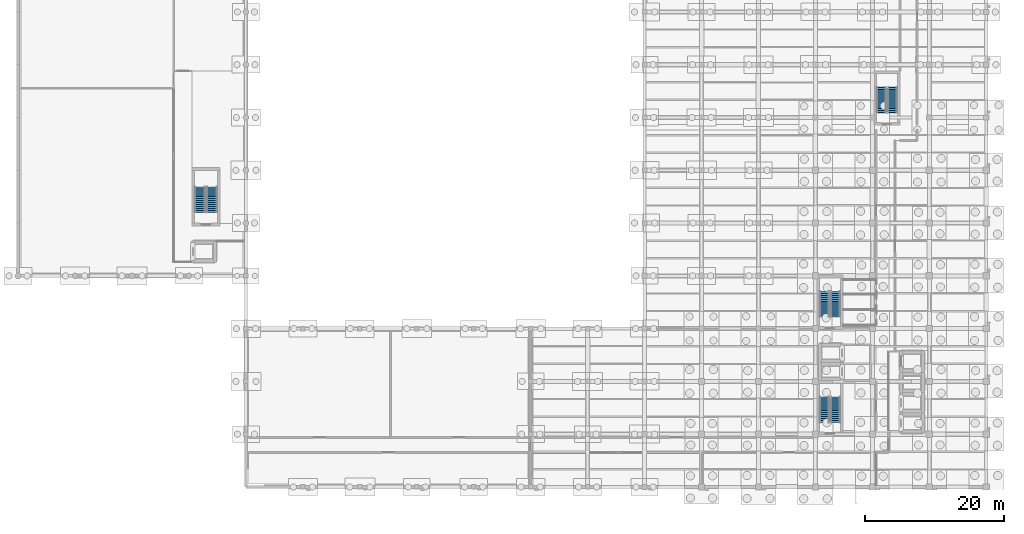
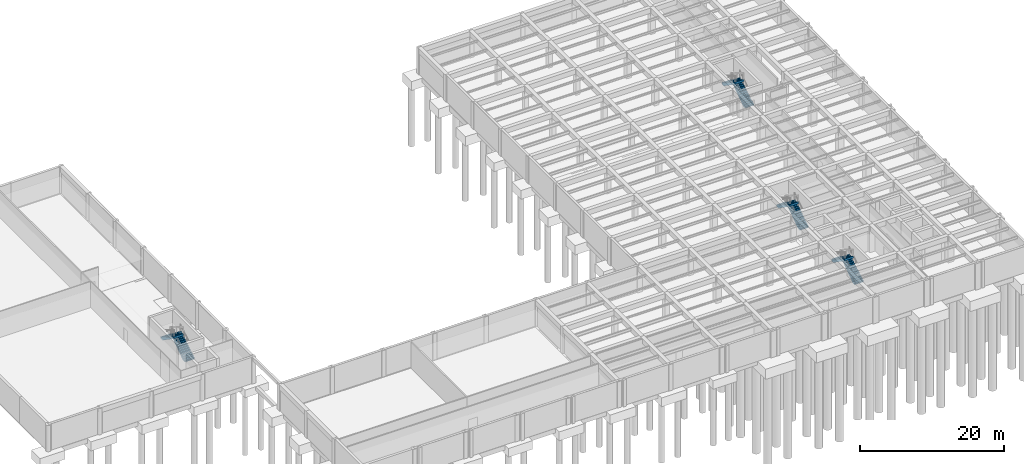
# One storey, part 22 of 29: 8 stair flights, 4 elements without a shape of their own.
"""IFC4 building model written with IfcOpenShell, lengths in metres."""

import ifcopenshell
import ifcopenshell.guid

model = None  # the IFC model being written
_history = None  # IfcOwnerHistory: only IFC2X3 demands one
_inside = {}  # id of a spatial element -> (the spatial element, [elements in it])
_under = {}  # id of a project, library or spatial element -> (it, [spatial elements below it])
_declared = {}  # id of a project -> (the project, [libraries it declares])
_typed = {}  # id of a type object -> (the type object, [elements of that type])
_made_of = {}  # id of a material, layer set ... -> (it, [elements and type objects made of it])


def new_model(schema):
    """Start an empty IFC model of exactly this schema.

    Asked for "IFC4X3", IfcOpenShell would pick the latest addendum, in which some entities
    have other attributes; the version numbers below select the first issue.
    IFC2X3 requires an IfcOwnerHistory on every rooted entity: one is made here for all.
    """
    global model, _history
    if schema == "IFC4X3":
        model = ifcopenshell.file(schema_version=(4, 3, 0, 0))
    else:
        model = ifcopenshell.file(schema=schema)
    _inside.clear()
    _under.clear()
    _declared.clear()
    _typed.clear()
    _made_of.clear()
    _history = None
    if model.schema == "IFC2X3":
        org = make("IfcOrganization", Name="unknown")
        user = make(
            "IfcPersonAndOrganization",
            ThePerson=make("IfcPerson", FamilyName="unknown"),
            TheOrganization=org,
        )
        app = make(
            "IfcApplication",
            ApplicationDeveloper=org,
            Version="unknown",
            ApplicationFullName="unknown",
            ApplicationIdentifier="unknown",
        )
        _history = make(
            "IfcOwnerHistory",
            OwningUser=user,
            OwningApplication=app,
            ChangeAction="ADDED",
            CreationDate=0,
        )
    return model


def make(cls, **values):
    """One entity of the class cls with the attributes given. An attribute that is None is left unset."""
    return model.create_entity(
        cls, **{name: value for name, value in values.items() if value is not None}
    )


def rooted(cls, **values):
    """An entity with a GlobalId (a new one), such as an element, a storey or a relation."""
    return make(cls, GlobalId=ifcopenshell.guid.new(), OwnerHistory=_history, **values)


def si_unit(unit_type, name, prefix=None):
    """IfcSIUnit, for example si_unit("LENGTHUNIT", "METRE", prefix="MILLI")."""
    return make("IfcSIUnit", UnitType=unit_type, Prefix=prefix, Name=name)


def assignment(units):
    """IfcUnitAssignment: the units of a project."""
    return None if units is None else make("IfcUnitAssignment", Units=units)


def point(xyz):
    """IfcCartesianPoint."""
    return None if xyz is None else make("IfcCartesianPoint", Coordinates=xyz)


def direction(xyz):
    """IfcDirection."""
    return None if xyz is None else make("IfcDirection", DirectionRatios=xyz)


def frame(location, z_axis=None, x_axis=None):
    """IfcAxis2Placement3D, a coordinate frame: its origin and axes. An axis left out is left unset."""
    return make(
        "IfcAxis2Placement3D",
        Location=point(location),
        Axis=direction(z_axis),
        RefDirection=direction(x_axis),
    )


def origin():
    """The frame at (0, 0, 0) with its axes left unset."""
    return frame((0.0, 0.0, 0.0))


def place(relative_to, where):
    """IfcLocalPlacement: puts the frame where relative to a parent placement (None: the world)."""
    return make(
        "IfcLocalPlacement", PlacementRelTo=relative_to, RelativePlacement=where
    )


def context(
    kind, dimensions, precision=None, world=None, true_north=None, identifier=None
):
    """IfcGeometricRepresentationContext, for example the 3D "Model" context."""
    return make(
        "IfcGeometricRepresentationContext",
        ContextIdentifier=identifier,
        ContextType=kind,
        CoordinateSpaceDimension=dimensions,
        Precision=precision,
        WorldCoordinateSystem=world,
        TrueNorth=true_north,
    )


def subcontext(parent, identifier, kind, view, scale=None):
    """IfcGeometricRepresentationSubContext, for example "Body" below "Model"."""
    return make(
        "IfcGeometricRepresentationSubContext",
        ContextIdentifier=identifier,
        ContextType=kind,
        ParentContext=parent,
        TargetScale=scale,
        TargetView=view,
    )


def project(units=None, contexts=None):
    """IfcProject with its units and contexts."""
    return rooted(
        "IfcProject",
        Name="project",
        RepresentationContexts=contexts,
        UnitsInContext=assignment(units),
    )


def spatial(cls, under=None, at=None, **own):
    """A site, building, storey or space (cls), placed at a placement, below another one or the project."""
    s = rooted(cls, ObjectPlacement=at, **own)
    if under is not None:
        _under.setdefault(under.id(), (under, []))[1].append(s)
    return s


def polyline(points):
    """IfcPolyline through the points."""
    return make("IfcPolyline", Points=[point(p) for p in points])


def outline(outer, holes=None, kind="AREA"):
    """IfcArbitraryClosedProfileDef: a profile drawn as a closed curve; with holes, ...WithVoids."""
    if holes is None:
        return make("IfcArbitraryClosedProfileDef", ProfileType=kind, OuterCurve=outer)
    return make(
        "IfcArbitraryProfileDefWithVoids",
        ProfileType=kind,
        OuterCurve=outer,
        InnerCurves=holes,
    )


def extrude(swept, where, along, depth):
    """IfcExtrudedAreaSolid: the profile swept, set in the frame where, extruded along a direction by depth."""
    return make(
        "IfcExtrudedAreaSolid",
        SweptArea=swept,
        Position=where,
        ExtrudedDirection=direction(along),
        Depth=depth,
    )


def shape(context_of_items, identifier, shape_type, items):
    """IfcShapeRepresentation: the items that make up one representation, for example the "Body"."""
    return make(
        "IfcShapeRepresentation",
        ContextOfItems=context_of_items,
        RepresentationIdentifier=identifier,
        RepresentationType=shape_type,
        Items=items,
    )


def material(Name=None, Category=None):
    """IfcMaterial."""
    return make("IfcMaterial", Name=Name, Category=Category)


def made_of(thing, what):
    """Note that an element or type object is made of a material, layer set ...; save() writes the relation."""
    if what is not None:
        _made_of.setdefault(what.id(), (what, []))[1].append(thing)
    return thing


def type_object(cls, material=None, **own):
    """A type object (cls), such as IfcWallType, which elements share."""
    return made_of(rooted(cls, **own), material)


def element(
    cls,
    number,
    at=None,
    inside=None,
    cuts=None,
    type_object=None,
    material=None,
    context=None,
    identifier="Body",
    shape_type=None,
    held_by="IfcProductDefinitionShape",
    body=None,
    shapes=None,
    **own,
):
    """One element of the class cls, such as IfcWall. Its Tag is "e" and its number.

    at: its placement. inside: the storey or other place that contains it. cuts: it is an
    opening in that element (IfcRelVoidsElement). A single representation is given by context,
    identifier, shape_type and body (its items); several are given by shapes. held_by: the class
    of the entity that holds the representations. save() writes the other relations.
    """
    e = rooted(cls, Tag="e%d" % number, ObjectPlacement=at, **own)
    if body is not None:
        shapes = [shape(context, identifier, shape_type, body)]
    if shapes is not None:
        e.Representation = make(held_by, Representations=shapes)
    if inside is not None:
        _inside.setdefault(inside.id(), (inside, []))[1].append(e)
    if cuts is not None:
        rooted(
            "IfcRelVoidsElement", RelatingBuildingElement=cuts, RelatedOpeningElement=e
        )
    if type_object is not None:
        _typed.setdefault(type_object.id(), (type_object, []))[1].append(e)
    return made_of(e, material)


def aggregate(whole, parts):
    """IfcRelAggregates: a whole, such as a stair, and the parts it consists of."""
    return rooted("IfcRelAggregates", RelatingObject=whole, RelatedObjects=parts)


def save(model, path):
    """Write the relations noted so far, then the file.

    IfcRelAggregates (storeys below a building ...), IfcRelContainedInSpatialStructure (elements
    in a storey), IfcRelDefinesByType, IfcRelAssociatesMaterial and IfcRelDeclares: one each for
    every whole, place, type object, material and project.
    """
    for whole, parts in _under.values():
        aggregate(whole, parts)
    for where, things in _inside.values():
        rooted(
            "IfcRelContainedInSpatialStructure",
            RelatedElements=things,
            RelatingStructure=where,
        )
    for kind, things in _typed.values():
        rooted("IfcRelDefinesByType", RelatedObjects=things, RelatingType=kind)
    for what, things in _made_of.values():
        rooted("IfcRelAssociatesMaterial", RelatedObjects=things, RelatingMaterial=what)
    for by, libraries in _declared.values():
        rooted("IfcRelDeclares", RelatingContext=by, RelatedDefinitions=libraries)
    model.write(path)


model = new_model("IFC4")

# Units and contexts
model_context = context("Model", 3, precision=1e-05, world=origin(), true_north=direction((0.0, 1.0)))
body_context = subcontext(model_context, "Body", "Model", "MODEL_VIEW")
ifc_project = project(units=[si_unit("LENGTHUNIT", "METRE"), si_unit("AREAUNIT", "SQUARE_METRE"), si_unit("VOLUMEUNIT", "CUBIC_METRE"), si_unit("PLANEANGLEUNIT", "RADIAN"), si_unit("MASSUNIT", "GRAM", prefix="KILO")], contexts=[model_context])

# Site, building, storey
site_placement = place(None, origin())
site = spatial("IfcSite", under=ifc_project, at=site_placement, CompositionType="ELEMENT")
building_placement = place(site_placement, origin())
building = spatial("IfcBuilding", under=site, at=building_placement, Name="Qandaris Square Conservatory and Botanical Centre", CompositionType="ELEMENT")
storey_placement = place(building_placement, frame((0.0, 0.0, -4.800048828125)))
storey = spatial("IfcBuildingStorey", under=building, at=storey_placement, Name="B1", CompositionType="ELEMENT", Elevation=-4.800048828125)

# Stair, stair flights
ifc_material_1 = material(Name="Concrete C40/50", Category="concrete")
stair_type_1 = type_object("IfcStairType", Name="Core Escape Scissor Stair", PredefinedType="HALF_TURN_STAIR", material=ifc_material_1)
stair_1_placement = place(storey_placement, origin())
stair_1 = element("IfcStair", 1, at=stair_1_placement, inside=storey, type_object=stair_type_1, Name="B1 Tower South Exit Stair ST-1", PredefinedType="HALF_TURN_STAIR")
ifc_material_2 = material(Name="Precast concrete C40/50", Category="concrete")
stair_flight_type_1 = type_object("IfcStairFlightType", Name="RC Precast Stair Flight 1400mm", PredefinedType="STRAIGHT", material=ifc_material_2)
stair_flight_1_placement = place(storey_placement, frame((142.10009765625, 25.89990234375, 0.0), z_axis=(0.0, 0.0, 1.0), x_axis=(0.0, 1.0, 0.0)))
stair_flight_1 = element("IfcStairFlight", 2, at=stair_flight_1_placement, type_object=stair_flight_type_1, Name="ST-1 flight 1", NumberOfRisers=14, NumberOfTreads=13, PredefinedType="STRAIGHT", RiserHeight=0.171428571, TreadLength=0.28, context=body_context, shape_type="SweptSolid", body=[
    extrude(outline(polyline([(-0.034912109375, 0.0), (0.0, 0.0), (0.0, 0.17138671875), (0.280029296875, 0.17138671875), (0.280029296875, 0.3427734375), (0.56005859375, 0.3427734375), (0.56005859375, 0.514404296875), (0.840087890625, 0.514404296875), (0.840087890625, 0.685791015625), (1.1201171875, 0.685791015625), (1.1201171875, 0.857177734375), (1.39990234375, 0.857177734375), (1.39990234375, 1.028564453125), (1.679931640625, 1.028564453125), (1.679931640625, 1.199951171875), (1.9599609375, 1.199951171875), (1.9599609375, 1.371337890625), (2.239990234375, 1.371337890625), (2.239990234375, 1.54296875), (2.52001953125, 1.54296875), (2.52001953125, 1.71435546875), (2.800048828125, 1.71435546875), (2.800048828125, 1.8857421875), (3.080078125, 1.8857421875), (3.080078125, 2.05712890625), (3.360107421875, 2.05712890625), (3.360107421875, 2.228515625), (3.639892578125, 2.228515625), (3.639892578125, 2.39990234375), (3.6748046875, 2.39990234375), (3.6748046875, 2.052734375), (3.639892578125, 2.052734375), (0.515869140625, -0.139892578125), (-0.034912109375, -0.139892578125), (-0.034912109375, 0.0)])), frame((0.0, 0.699951171875, 0.0), z_axis=(0.0, -1.0, 0.0), x_axis=(1.0, 0.0, 0.0)), (0.0, 0.0, 1.0), 1.39990234375),
])
stair_flight_2_placement = place(storey_placement, frame((140.5, 29.5400390625, 2.400146484375), z_axis=(0.0, 0.0, 1.0), x_axis=(0.0, -1.0, 0.0)))
stair_flight_2 = element("IfcStairFlight", 3, at=stair_flight_2_placement, type_object=stair_flight_type_1, Name="ST-1 flight 2", NumberOfRisers=14, NumberOfTreads=13, PredefinedType="STRAIGHT", RiserHeight=0.171428571, TreadLength=0.28, context=body_context, shape_type="SweptSolid", body=[
    extrude(outline(polyline([(-0.034912109375, 0.0), (0.0, 0.0), (0.0, 0.17138671875), (0.280029296875, 0.17138671875), (0.280029296875, 0.3427734375), (0.56005859375, 0.3427734375), (0.56005859375, 0.514404296875), (0.840087890625, 0.514404296875), (0.840087890625, 0.685791015625), (1.1201171875, 0.685791015625), (1.1201171875, 0.857177734375), (1.39990234375, 0.857177734375), (1.39990234375, 1.028564453125), (1.679931640625, 1.028564453125), (1.679931640625, 1.199951171875), (1.9599609375, 1.199951171875), (1.9599609375, 1.371337890625), (2.239990234375, 1.371337890625), (2.239990234375, 1.54296875), (2.52001953125, 1.54296875), (2.52001953125, 1.71435546875), (2.800048828125, 1.71435546875), (2.800048828125, 1.8857421875), (3.080078125, 1.8857421875), (3.080078125, 2.05712890625), (3.360107421875, 2.05712890625), (3.360107421875, 2.228515625), (3.639892578125, 2.228515625), (3.639892578125, 2.39990234375), (3.6748046875, 2.39990234375), (3.6748046875, 2.052734375), (3.639892578125, 2.052734375), (0.515869140625, -0.139892578125), (-0.034912109375, -0.139892578125), (-0.034912109375, 0.0)])), frame((0.0, 0.699951171875, 0.0), z_axis=(0.0, -1.0, 0.0), x_axis=(1.0, 0.0, 0.0)), (0.0, 0.0, 1.0), 1.39990234375),
])
aggregate(stair_1, [stair_flight_1, stair_flight_2])

stair_2_placement = place(storey_placement, origin())
stair_2 = element("IfcStair", 4, at=stair_2_placement, inside=storey, type_object=stair_type_1, Name="B1 Tower North Exit Stair ST-2", PredefinedType="HALF_TURN_STAIR")
stair_flight_3_placement = place(storey_placement, frame((142.10009765625, 41.10009765625, 0.0), z_axis=(0.0, 0.0, 1.0), x_axis=(0.0, 1.0, 0.0)))
stair_flight_3 = element("IfcStairFlight", 5, at=stair_flight_3_placement, type_object=stair_flight_type_1, Name="ST-2 flight 1", NumberOfRisers=14, NumberOfTreads=13, PredefinedType="STRAIGHT", RiserHeight=0.171428571, TreadLength=0.28, context=body_context, shape_type="SweptSolid", body=[
    extrude(outline(polyline([(-0.034912109375, 0.0), (0.0, 0.0), (0.0, 0.17138671875), (0.280029296875, 0.17138671875), (0.280029296875, 0.3427734375), (0.56005859375, 0.3427734375), (0.56005859375, 0.514404296875), (0.840087890625, 0.514404296875), (0.840087890625, 0.685791015625), (1.1201171875, 0.685791015625), (1.1201171875, 0.857177734375), (1.39990234375, 0.857177734375), (1.39990234375, 1.028564453125), (1.679931640625, 1.028564453125), (1.679931640625, 1.199951171875), (1.9599609375, 1.199951171875), (1.9599609375, 1.371337890625), (2.239990234375, 1.371337890625), (2.239990234375, 1.54296875), (2.52001953125, 1.54296875), (2.52001953125, 1.71435546875), (2.800048828125, 1.71435546875), (2.800048828125, 1.8857421875), (3.080078125, 1.8857421875), (3.080078125, 2.05712890625), (3.360107421875, 2.05712890625), (3.360107421875, 2.228515625), (3.639892578125, 2.228515625), (3.639892578125, 2.39990234375), (3.6748046875, 2.39990234375), (3.6748046875, 2.052734375), (3.639892578125, 2.052734375), (0.515869140625, -0.139892578125), (-0.034912109375, -0.139892578125), (-0.034912109375, 0.0)])), frame((0.0, 0.699951171875, 0.0), z_axis=(0.0, -1.0, 0.0), x_axis=(1.0, 0.0, 0.0)), (0.0, 0.0, 1.0), 1.39990234375),
])
stair_flight_4_placement = place(storey_placement, frame((140.5, 44.739990234375, 2.400146484375), z_axis=(0.0, 0.0, 1.0), x_axis=(0.0, -1.0, 0.0)))
stair_flight_4 = element("IfcStairFlight", 6, at=stair_flight_4_placement, type_object=stair_flight_type_1, Name="ST-2 flight 2", NumberOfRisers=14, NumberOfTreads=13, PredefinedType="STRAIGHT", RiserHeight=0.171428571, TreadLength=0.28, context=body_context, shape_type="SweptSolid", body=[
    extrude(outline(polyline([(-0.034912109375, 0.0), (0.0, 0.0), (0.0, 0.17138671875), (0.280029296875, 0.17138671875), (0.280029296875, 0.3427734375), (0.56005859375, 0.3427734375), (0.56005859375, 0.514404296875), (0.840087890625, 0.514404296875), (0.840087890625, 0.685791015625), (1.1201171875, 0.685791015625), (1.1201171875, 0.857177734375), (1.39990234375, 0.857177734375), (1.39990234375, 1.028564453125), (1.679931640625, 1.028564453125), (1.679931640625, 1.199951171875), (1.9599609375, 1.199951171875), (1.9599609375, 1.371337890625), (2.239990234375, 1.371337890625), (2.239990234375, 1.54296875), (2.52001953125, 1.54296875), (2.52001953125, 1.71435546875), (2.800048828125, 1.71435546875), (2.800048828125, 1.8857421875), (3.080078125, 1.8857421875), (3.080078125, 2.05712890625), (3.360107421875, 2.05712890625), (3.360107421875, 2.228515625), (3.639892578125, 2.228515625), (3.639892578125, 2.39990234375), (3.6748046875, 2.39990234375), (3.6748046875, 2.052734375), (3.639892578125, 2.052734375), (0.515869140625, -0.139892578125), (-0.034912109375, -0.139892578125), (-0.034912109375, 0.0)])), frame((0.0, 0.699951171875, 0.0), z_axis=(0.0, -1.0, 0.0), x_axis=(1.0, 0.0, 0.0)), (0.0, 0.0, 1.0), 1.39990234375),
])
aggregate(stair_2, [stair_flight_3, stair_flight_4])

stair_3_placement = place(storey_placement, origin())
stair_3 = element("IfcStair", 7, at=stair_3_placement, inside=storey, type_object=stair_type_1, Name="B1 Herbarium North Exit Stair ST-3", PredefinedType="HALF_TURN_STAIR")
stair_flight_5_placement = place(storey_placement, frame((150.300048828125, 70.5, 0.0), z_axis=(0.0, 0.0, 1.0), x_axis=(0.0, 1.0, 0.0)))
stair_flight_5 = element("IfcStairFlight", 8, at=stair_flight_5_placement, type_object=stair_flight_type_1, Name="ST-3 flight 1", NumberOfRisers=14, NumberOfTreads=13, PredefinedType="STRAIGHT", RiserHeight=0.171428571, TreadLength=0.28, context=body_context, shape_type="SweptSolid", body=[
    extrude(outline(polyline([(-0.034912109375, 0.0), (0.0, 0.0), (0.0, 0.17138671875), (0.280029296875, 0.17138671875), (0.280029296875, 0.3427734375), (0.56005859375, 0.3427734375), (0.56005859375, 0.514404296875), (0.840087890625, 0.514404296875), (0.840087890625, 0.685791015625), (1.1201171875, 0.685791015625), (1.1201171875, 0.857177734375), (1.39990234375, 0.857177734375), (1.39990234375, 1.028564453125), (1.679931640625, 1.028564453125), (1.679931640625, 1.199951171875), (1.9599609375, 1.199951171875), (1.9599609375, 1.371337890625), (2.239990234375, 1.371337890625), (2.239990234375, 1.54296875), (2.52001953125, 1.54296875), (2.52001953125, 1.71435546875), (2.800048828125, 1.71435546875), (2.800048828125, 1.8857421875), (3.080078125, 1.8857421875), (3.080078125, 2.05712890625), (3.360107421875, 2.05712890625), (3.360107421875, 2.228515625), (3.639892578125, 2.228515625), (3.639892578125, 2.39990234375), (3.6748046875, 2.39990234375), (3.6748046875, 2.052734375), (3.639892578125, 2.052734375), (0.515869140625, -0.139892578125), (-0.034912109375, -0.139892578125), (-0.034912109375, 0.0)])), frame((0.0, 0.699951171875, 0.0), z_axis=(0.0, -1.0, 0.0), x_axis=(1.0, 0.0, 0.0)), (0.0, 0.0, 1.0), 1.39990234375),
])
stair_flight_6_placement = place(storey_placement, frame((148.699951171875, 74.139892578125, 2.400146484375), z_axis=(0.0, 0.0, 1.0), x_axis=(0.0, -1.0, 0.0)))
stair_flight_6 = element("IfcStairFlight", 9, at=stair_flight_6_placement, type_object=stair_flight_type_1, Name="ST-3 flight 2", NumberOfRisers=14, NumberOfTreads=13, PredefinedType="STRAIGHT", RiserHeight=0.171428571, TreadLength=0.28, context=body_context, shape_type="SweptSolid", body=[
    extrude(outline(polyline([(-0.034912109375, 0.0), (0.0, 0.0), (0.0, 0.17138671875), (0.280029296875, 0.17138671875), (0.280029296875, 0.3427734375), (0.56005859375, 0.3427734375), (0.56005859375, 0.514404296875), (0.840087890625, 0.514404296875), (0.840087890625, 0.685791015625), (1.1201171875, 0.685791015625), (1.1201171875, 0.857177734375), (1.39990234375, 0.857177734375), (1.39990234375, 1.028564453125), (1.679931640625, 1.028564453125), (1.679931640625, 1.199951171875), (1.9599609375, 1.199951171875), (1.9599609375, 1.371337890625), (2.239990234375, 1.371337890625), (2.239990234375, 1.54296875), (2.52001953125, 1.54296875), (2.52001953125, 1.71435546875), (2.800048828125, 1.71435546875), (2.800048828125, 1.8857421875), (3.080078125, 1.8857421875), (3.080078125, 2.05712890625), (3.360107421875, 2.05712890625), (3.360107421875, 2.228515625), (3.639892578125, 2.228515625), (3.639892578125, 2.39990234375), (3.6748046875, 2.39990234375), (3.6748046875, 2.052734375), (3.639892578125, 2.052734375), (0.515869140625, -0.139892578125), (-0.034912109375, -0.139892578125), (-0.034912109375, 0.0)])), frame((0.0, 0.699951171875, 0.0), z_axis=(0.0, -1.0, 0.0), x_axis=(1.0, 0.0, 0.0)), (0.0, 0.0, 1.0), 1.39990234375),
])
aggregate(stair_3, [stair_flight_5, stair_flight_6])

stair_type_2 = type_object("IfcStairType", Name="Podium Grand Escape Stair 1550mm", PredefinedType="HALF_TURN_STAIR", material=ifc_material_1)
stair_4_placement = place(storey_placement, origin())
stair_4 = element("IfcStair", 10, at=stair_4_placement, inside=storey, type_object=stair_type_2, Name="B1 Conservatory West Exit Stair ST-5", PredefinedType="HALF_TURN_STAIR")
stair_flight_type_2 = type_object("IfcStairFlightType", Name="RC Precast Stair Flight 1550mm", PredefinedType="STRAIGHT", material=ifc_material_2)
stair_flight_7_placement = place(storey_placement, frame((52.324951171875, 56.14990234375, 0.0), z_axis=(0.0, 0.0, 1.0), x_axis=(0.0, 1.0, 0.0)))
stair_flight_7 = element("IfcStairFlight", 11, at=stair_flight_7_placement, type_object=stair_flight_type_2, Name="ST-5 flight 1", NumberOfRisers=14, NumberOfTreads=13, PredefinedType="STRAIGHT", RiserHeight=0.171428571, TreadLength=0.28, context=body_context, shape_type="SweptSolid", body=[
    extrude(outline(polyline([(-0.034912109375, 0.0), (0.0, 0.0), (0.0, 0.17138671875), (0.280029296875, 0.17138671875), (0.280029296875, 0.3427734375), (0.56005859375, 0.3427734375), (0.56005859375, 0.514404296875), (0.840087890625, 0.514404296875), (0.840087890625, 0.685791015625), (1.1201171875, 0.685791015625), (1.1201171875, 0.857177734375), (1.39990234375, 0.857177734375), (1.39990234375, 1.028564453125), (1.679931640625, 1.028564453125), (1.679931640625, 1.199951171875), (1.9599609375, 1.199951171875), (1.9599609375, 1.371337890625), (2.239990234375, 1.371337890625), (2.239990234375, 1.54296875), (2.52001953125, 1.54296875), (2.52001953125, 1.71435546875), (2.800048828125, 1.71435546875), (2.800048828125, 1.8857421875), (3.080078125, 1.8857421875), (3.080078125, 2.05712890625), (3.360107421875, 2.05712890625), (3.360107421875, 2.228515625), (3.639892578125, 2.228515625), (3.639892578125, 2.39990234375), (3.6748046875, 2.39990234375), (3.6748046875, 2.052734375), (3.639892578125, 2.052734375), (0.515869140625, -0.139892578125), (-0.034912109375, -0.139892578125), (-0.034912109375, 0.0)])), frame((0.0, 0.77490234375, 0.0), z_axis=(0.0, -1.0, 0.0), x_axis=(1.0, 0.0, 0.0)), (0.0, 0.0, 1.0), 1.550048828125),
])
stair_flight_8_placement = place(storey_placement, frame((50.574951171875, 59.7900390625, 2.400146484375), z_axis=(0.0, 0.0, 1.0), x_axis=(0.0, -1.0, 0.0)))
stair_flight_8 = element("IfcStairFlight", 12, at=stair_flight_8_placement, type_object=stair_flight_type_2, Name="ST-5 flight 2", NumberOfRisers=14, NumberOfTreads=13, PredefinedType="STRAIGHT", RiserHeight=0.171428571, TreadLength=0.28, context=body_context, shape_type="SweptSolid", body=[
    extrude(outline(polyline([(-0.034912109375, 0.0), (0.0, 0.0), (0.0, 0.17138671875), (0.280029296875, 0.17138671875), (0.280029296875, 0.3427734375), (0.56005859375, 0.3427734375), (0.56005859375, 0.514404296875), (0.840087890625, 0.514404296875), (0.840087890625, 0.685791015625), (1.1201171875, 0.685791015625), (1.1201171875, 0.857177734375), (1.39990234375, 0.857177734375), (1.39990234375, 1.028564453125), (1.679931640625, 1.028564453125), (1.679931640625, 1.199951171875), (1.9599609375, 1.199951171875), (1.9599609375, 1.371337890625), (2.239990234375, 1.371337890625), (2.239990234375, 1.54296875), (2.52001953125, 1.54296875), (2.52001953125, 1.71435546875), (2.800048828125, 1.71435546875), (2.800048828125, 1.8857421875), (3.080078125, 1.8857421875), (3.080078125, 2.05712890625), (3.360107421875, 2.05712890625), (3.360107421875, 2.228515625), (3.639892578125, 2.228515625), (3.639892578125, 2.39990234375), (3.6748046875, 2.39990234375), (3.6748046875, 2.052734375), (3.639892578125, 2.052734375), (0.515869140625, -0.139892578125), (-0.034912109375, -0.139892578125), (-0.034912109375, 0.0)])), frame((0.0, 0.77490234375, 0.0), z_axis=(0.0, -1.0, 0.0), x_axis=(1.0, 0.0, 0.0)), (0.0, 0.0, 1.0), 1.550048828125),
])
aggregate(stair_4, [stair_flight_7, stair_flight_8])

save(model, "model.ifc")
